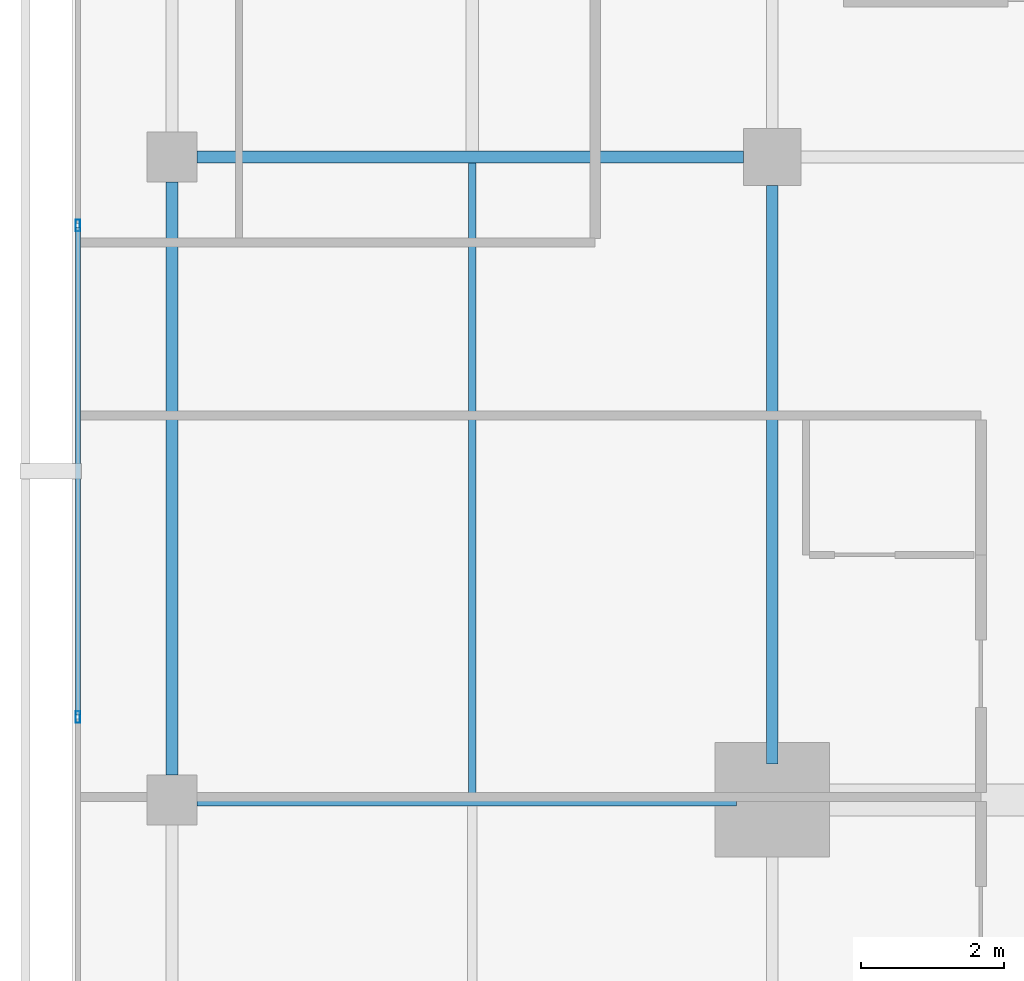
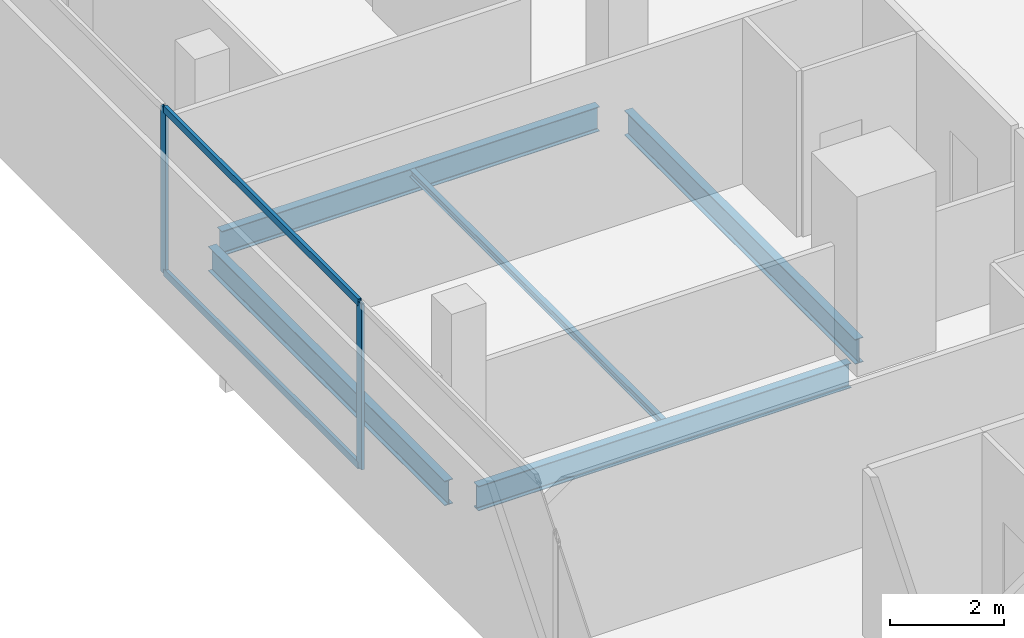
# One storey, part 8 of 26: 5 beams, 4 members, 1 element without a shape of its own.
"""IFC4 building model written with IfcOpenShell, lengths in metres."""

from ifc_helpers import new_model, si_unit, direction, frame, origin, origin_2d, place, context, subcontext, project, spatial, hollow_rectangle, i_section, extrude, material, layer, layer_set, material_profile, profile_set, type_object, element, aggregate, save


model = new_model("IFC4")

# Units and contexts
model_context = context("Model", 3, precision=1e-05, world=origin(), true_north=direction((0.0, 1.0)))
body_context = subcontext(model_context, "Body", "Model", "MODEL_VIEW")
ifc_project = project(units=[si_unit("LENGTHUNIT", "METRE"), si_unit("AREAUNIT", "SQUARE_METRE"), si_unit("VOLUMEUNIT", "CUBIC_METRE"), si_unit("PLANEANGLEUNIT", "RADIAN"), si_unit("MASSUNIT", "GRAM", prefix="KILO")], contexts=[model_context])

# Site, building, storey
site_placement = place(None, origin())
site = spatial("IfcSite", under=ifc_project, at=site_placement, CompositionType="ELEMENT")
building_placement = place(site_placement, origin())
building = spatial("IfcBuilding", under=site, at=building_placement, Name="Maruvema Waterfront Hotel and Observation Tower", CompositionType="ELEMENT")
storey_placement = place(building_placement, frame((0.0, 0.0, 312.550048828125)))
storey = spatial("IfcBuildingStorey", under=building, at=storey_placement, Name="L77", CompositionType="ELEMENT", Elevation=312.550048828125)

# Curtain wall, members
ifc_material_1 = material(Name="Anodised bronze aluminium and solar-control low-E IGU", Category="aluminium")
ifc_layer = layer(ifc_material_1, 0.159912109375, Name="Zone 3 Champagne Inner Thermal Curtain Wall System CW-04")
ifc_layer_set = layer_set([ifc_layer], Name="Anodised bronze aluminium and solar-control low-E IGU")
curtain_wall_type = type_object("IfcCurtainWallType", Name="Zone 3 Champagne Inner Thermal Curtain Wall System CW-04", PredefinedType="USERDEFINED", material=ifc_layer_set)
curtain_wall_placement = place(storey_placement, origin())
curtain_wall = element("IfcCurtainWall", 1, at=curtain_wall_placement, inside=storey, type_object=curtain_wall_type, Name="L77 Curtain Wall CW-L77-W", ObjectType="UNITISED CURTAIN WALL", PredefinedType="USERDEFINED")
ifc_material_2 = material(Name="Anodised architectural bronze aluminium", Category="aluminium")
ifc_material_profile_1 = material_profile(ifc_material_2, hollow_rectangle(XDim=0.070068359375, YDim=0.14990234375, WallThickness=0.00390625, at=origin_2d()), Name="ALU-T70x150")
ifc_profile_set_1 = profile_set([ifc_material_profile_1], Name="Anodised architectural bronze aluminium")
member_type_1 = type_object("IfcMemberType", Name="Curtain Wall Horizontal Transom ALU-T70x150", PredefinedType="USERDEFINED", material=ifc_profile_set_1)
member_1_placement = place(storey_placement, frame((15.47998046875, 35.010009765625, 0.030029296875), z_axis=(0.0, -1.0, 0.0), x_axis=(1.0, 0.0, 0.0)))
member_1 = element("IfcMember", 2, at=member_1_placement, type_object=member_type_1, Name="CW-04 transom 3.1", ObjectType="TRANSOM", PredefinedType="USERDEFINED", context=body_context, shape_type="SweptSolid", body=[
    extrude(hollow_rectangle(XDim=0.070068359375, YDim=0.14990234375, WallThickness=0.00390625, at=origin_2d()), origin(), (0.0, 0.0, 1.0), 6.820068359375),
])
member_2_placement = place(storey_placement, frame((15.47998046875, 35.010009765625, 3.52001953125), z_axis=(0.0, -1.0, 0.0), x_axis=(1.0, 0.0, 0.0)))
member_2 = element("IfcMember", 3, at=member_2_placement, type_object=member_type_1, Name="CW-04 transom 3.2", ObjectType="TRANSOM", PredefinedType="USERDEFINED", context=body_context, shape_type="SweptSolid", body=[
    extrude(hollow_rectangle(XDim=0.070068359375, YDim=0.14990234375, WallThickness=0.00390625, at=origin_2d()), origin(), (0.0, 0.0, 1.0), 6.820068359375),
])
ifc_material_3 = material(Name="Anodised architectural bronze aluminium", Category="aluminium")
ifc_material_profile_2 = material_profile(ifc_material_3, hollow_rectangle(XDim=0.06494140625, YDim=0.1650390625, WallThickness=0.00390625, at=origin_2d()), Name="ALU-M65x165")
ifc_profile_set_2 = profile_set([ifc_material_profile_2], Name="Anodised architectural bronze aluminium")
member_type_2 = type_object("IfcMemberType", Name="Curtain Wall Primary Mullion ALU-M65x165", PredefinedType="MULLION", material=ifc_profile_set_2)
member_3_placement = place(storey_placement, frame((15.47998046875, 35.0400390625, 0.0), z_axis=(0.0, 0.0, 1.0), x_axis=(1.0, 0.0, 0.0)))
member_3 = element("IfcMember", 4, at=member_3_placement, type_object=member_type_2, Name="CW-04 mullion 3", PredefinedType="MULLION", context=body_context, shape_type="SweptSolid", body=[
    extrude(hollow_rectangle(XDim=0.06494140625, YDim=0.1650390625, WallThickness=0.00390625, at=origin_2d()), origin(), (0.0, 0.0, 1.0), 3.550048828125),
])
member_4_placement = place(storey_placement, frame((15.47998046875, 28.159912109375, 0.0), z_axis=(0.0, 0.0, 1.0), x_axis=(1.0, 0.0, 0.0)))
member_4 = element("IfcMember", 5, at=member_4_placement, type_object=member_type_2, Name="CW-04 mullion 4", PredefinedType="MULLION", context=body_context, shape_type="SweptSolid", body=[
    extrude(hollow_rectangle(XDim=0.06494140625, YDim=0.1650390625, WallThickness=0.00390625, at=origin_2d()), origin(), (0.0, 0.0, 1.0), 3.550048828125),
])
aggregate(curtain_wall, [member_3, member_4, member_1, member_2])

# Beams
ifc_material_4 = material(Name="Steel ASTM A572 Grade 50", Category="steel")
ifc_material_profile_3 = material_profile(ifc_material_4, i_section(OverallWidth=0.166015625, OverallDepth=0.529052734375, WebThickness=0.009765625, FlangeThickness=0.013671875, FilletRadius=0.014892578125, at=origin_2d()), Name="W530x74.0")
ifc_profile_set_3 = profile_set([ifc_material_profile_3], Name="Steel ASTM A572 Grade 50")
beam_type_1 = type_object("IfcBeamType", Name="Primary Floor Girder W530x74.0", PredefinedType="BEAM", material=ifc_profile_set_3)
beam_1_placement = place(storey_placement, frame((17.14990234375, 27.0, -0.504638671875), z_axis=(1.0, 0.0, 0.0), x_axis=(0.0, 1.0, 0.0)))
element("IfcBeam", 6, at=beam_1_placement, inside=storey, type_object=beam_type_1, Name="L77 Floor Girder EW-09", PredefinedType="BEAM", context=body_context, shape_type="SweptSolid", body=[
    extrude(i_section(OverallWidth=0.166015625, OverallDepth=0.529052734375, WebThickness=0.009765625, FlangeThickness=0.013671875, FilletRadius=0.014892578125, at=origin_2d()), origin(), (0.0, 0.0, 1.0), 7.550048828125),
])
beam_2_placement = place(storey_placement, frame((17.14990234375, 36.0, -0.504638671875), z_axis=(1.0, 0.0, 0.0), x_axis=(0.0, 1.0, 0.0)))
element("IfcBeam", 7, at=beam_2_placement, inside=storey, type_object=beam_type_1, Name="L77 Floor Girder EW-12", PredefinedType="BEAM", context=body_context, shape_type="SweptSolid", body=[
    extrude(i_section(OverallWidth=0.166015625, OverallDepth=0.529052734375, WebThickness=0.009765625, FlangeThickness=0.013671875, FilletRadius=0.014892578125, at=origin_2d()), origin(), (0.0, 0.0, 1.0), 7.650146484375),
])
beam_3_placement = place(storey_placement, frame((16.800048828125, 27.35009765625, -0.504638671875), z_axis=(0.0, 1.0, 0.0), x_axis=(-1.0, 0.0, 0.0)))
element("IfcBeam", 8, at=beam_3_placement, inside=storey, type_object=beam_type_1, Name="L77 Floor Girder NS-02", PredefinedType="BEAM", context=body_context, shape_type="SweptSolid", body=[
    extrude(i_section(OverallWidth=0.166015625, OverallDepth=0.529052734375, WebThickness=0.009765625, FlangeThickness=0.013671875, FilletRadius=0.014892578125, at=origin_2d()), origin(), (0.0, 0.0, 1.0), 8.2998046875),
])
beam_4_placement = place(storey_placement, frame((25.199951171875, 27.5, -0.504638671875), z_axis=(0.0, 1.0, 0.0), x_axis=(-1.0, 0.0, 0.0)))
element("IfcBeam", 9, at=beam_4_placement, inside=storey, type_object=beam_type_1, Name="L77 Floor Girder NS-06", PredefinedType="BEAM", context=body_context, shape_type="SweptSolid", body=[
    extrude(i_section(OverallWidth=0.166015625, OverallDepth=0.529052734375, WebThickness=0.009765625, FlangeThickness=0.013671875, FilletRadius=0.014892578125, at=origin_2d()), origin(), (0.0, 0.0, 1.0), 8.10009765625),
])
ifc_material_5 = material(Name="Steel ASTM A572 Grade 50", Category="steel")
ifc_material_profile_4 = material_profile(ifc_material_5, i_section(OverallWidth=0.10009765625, OverallDepth=0.153076171875, WebThickness=0.005859375, FlangeThickness=0.007080078125, FilletRadius=0.008056640625, at=origin_2d()), Name="W150x18.0")
ifc_profile_set_4 = profile_set([ifc_material_profile_4], Name="Steel ASTM A572 Grade 50")
beam_type_2 = type_object("IfcBeamType", Name="Secondary Floor Joist W150x18.0", PredefinedType="JOIST", material=ifc_profile_set_4)
beam_5_placement = place(storey_placement, frame((21.0, 27.0830078125, -0.316650390625), z_axis=(0.0, 1.0, 0.0), x_axis=(-1.0, 0.0, 0.0)))
element("IfcBeam", 10, at=beam_5_placement, inside=storey, type_object=beam_type_2, Name="L77 Secondary Floor Joist JS-02", PredefinedType="JOIST", context=body_context, shape_type="SweptSolid", body=[
    extrude(i_section(OverallWidth=0.10009765625, OverallDepth=0.153076171875, WebThickness=0.005859375, FlangeThickness=0.007080078125, FilletRadius=0.008056640625, at=origin_2d()), origin(), (0.0, 0.0, 1.0), 8.833984375),
])

save(model, "model.ifc")
